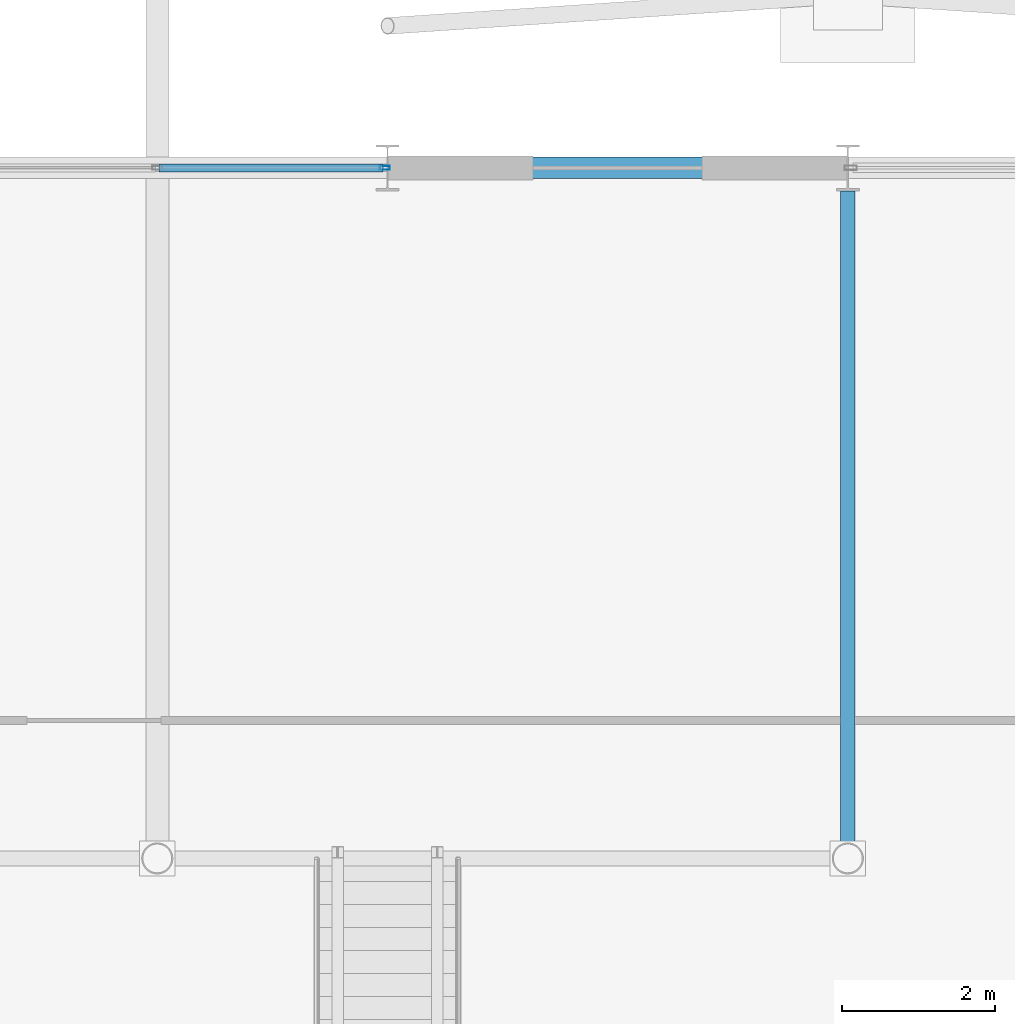
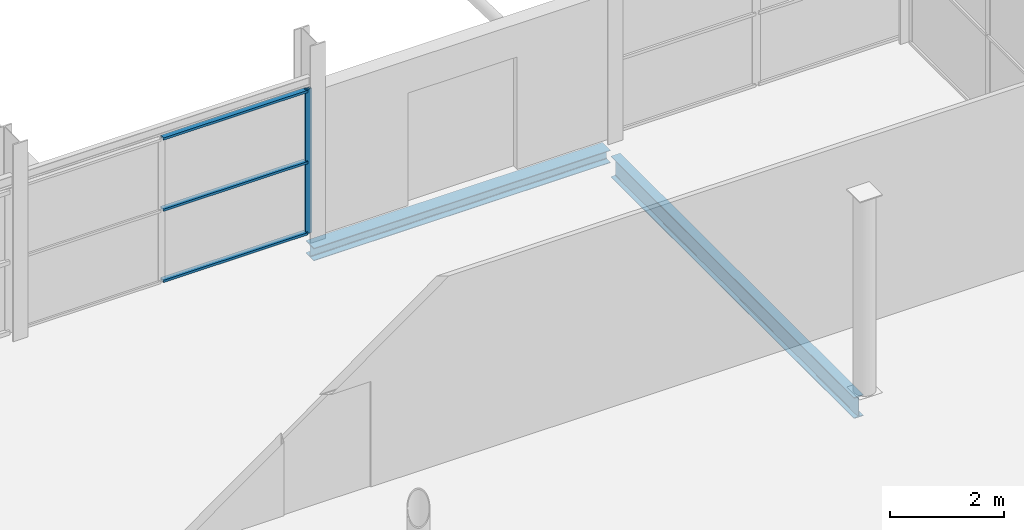
# One storey, part 50 of 140: 4 members, 2 beams, 1 element without a shape of its own.
"""IFC4 building model written with IfcOpenShell, lengths in metres."""

from ifc_helpers import new_model, si_unit, direction, frame, origin, origin_2d, place, context, subcontext, project, spatial, hollow_rectangle, i_section, extrude, material, layer, layer_set, material_profile, profile_set, type_object, element, aggregate, save


model = new_model("IFC4")

# Units and contexts
model_context = context("Model", 3, precision=1e-05, world=origin(), true_north=direction((0.0, 1.0)))
body_context = subcontext(model_context, "Body", "Model", "MODEL_VIEW")
ifc_project = project(units=[si_unit("LENGTHUNIT", "METRE"), si_unit("AREAUNIT", "SQUARE_METRE"), si_unit("VOLUMEUNIT", "CUBIC_METRE"), si_unit("PLANEANGLEUNIT", "RADIAN"), si_unit("MASSUNIT", "GRAM", prefix="KILO")], contexts=[model_context])

# Site, building, storey
site_placement = place(None, origin())
site = spatial("IfcSite", under=ifc_project, at=site_placement, CompositionType="ELEMENT")
building_placement = place(site_placement, origin())
building = spatial("IfcBuilding", under=site, at=building_placement, Name="Deido Ridge Mobility Hub", CompositionType="ELEMENT")
storey_placement = place(building_placement, origin())
storey = spatial("IfcBuildingStorey", under=building, at=storey_placement, Name="L00", CompositionType="ELEMENT", Elevation=0.0)

# Beam
ifc_material_1 = material(Name="Steel S355J2 EN 10025-2", Category="steel")
ifc_material_profile_1 = material_profile(ifc_material_1, i_section(OverallWidth=0.18994140625, OverallDepth=0.449951171875, WebThickness=0.009521484375, FlangeThickness=0.0146484375, FilletRadius=0.02099609375, at=origin_2d()), Name="IPE 450")
ifc_profile_set_1 = profile_set([ifc_material_profile_1], Name="Steel S355J2 EN 10025-2")
beam_type_1 = type_object("IfcBeamType", Name="BM-IPE450", PredefinedType="BEAM", material=ifc_profile_set_1)
beam_1_placement = place(storey_placement, frame((54.0, 27.203125, -0.485107421875), z_axis=(0.0, 1.0, 0.0), x_axis=(-1.0, 0.0, 0.0)))
element("IfcBeam", 1, at=beam_1_placement, inside=storey, type_object=beam_type_1, Name="Floor beam B4", PredefinedType="BEAM", context=body_context, shape_type="SweptSolid", body=[
    extrude(i_section(OverallWidth=0.18994140625, OverallDepth=0.449951171875, WebThickness=0.009521484375, FlangeThickness=0.0146484375, FilletRadius=0.02099609375, at=origin_2d()), origin(), (0.0, 0.0, 1.0), 8.496826171875),
])

# Curtain wall, members
ifc_material_2 = material(Name="Anodised aluminium EN AW-6063 T6", Category="aluminium")
ifc_layer = layer(ifc_material_2, 0.16796875, Name="Anodised aluminium EN AW-6063 T6")
ifc_layer_set = layer_set([ifc_layer], Name="Anodised aluminium EN AW-6063 T6")
curtain_wall_type = type_object("IfcCurtainWallType", Name="CW-GS-4", PredefinedType="USERDEFINED", material=ifc_layer_set)
curtain_wall_placement = place(storey_placement, origin())
curtain_wall = element("IfcCurtainWall", 2, at=curtain_wall_placement, inside=storey, type_object=curtain_wall_type, Name="Unitised curtain wall GS4", ObjectType="GLAZED SCREEN", PredefinedType="USERDEFINED")
ifc_material_profile_2 = material_profile(ifc_material_2, hollow_rectangle(XDim=0.050048828125, YDim=0.1298828125, WallThickness=0.00390625, at=origin_2d()), Name="RHS 50x130x4")
ifc_profile_set_2 = profile_set([ifc_material_profile_2], Name="Anodised aluminium EN AW-6063 T6")
member_type_1 = type_object("IfcMemberType", Name="MEM-MUL-50X130", PredefinedType="MULLION", material=ifc_profile_set_2)
member_1_placement = place(storey_placement, frame((47.96728515625, 36.0, 0.0), z_axis=(0.0, 0.0, 1.0), x_axis=(0.0, 1.0, 0.0)))
member_1 = element("IfcMember", 3, at=member_1_placement, type_object=member_type_1, Name="GS4 mullion 3", PredefinedType="MULLION", context=body_context, shape_type="SweptSolid", body=[
    extrude(hollow_rectangle(XDim=0.050048828125, YDim=0.1298828125, WallThickness=0.00390625, at=origin_2d()), origin(), (0.0, 0.0, 1.0), 3.0849609375),
])
ifc_material_profile_3 = material_profile(ifc_material_2, hollow_rectangle(XDim=0.10498046875, YDim=0.050048828125, WallThickness=0.00390625, at=origin_2d()), Name="RHS 105x50x4")
ifc_profile_set_3 = profile_set([ifc_material_profile_3], Name="Anodised aluminium EN AW-6063 T6")
member_type_2 = type_object("IfcMemberType", Name="MEM-TRN-105X50", PredefinedType="USERDEFINED", material=ifc_profile_set_3)
member_2_placement = place(storey_placement, frame((45.02490234375, 36.0, 0.02490234375), z_axis=(1.0, 0.0, 0.0), x_axis=(0.0, 1.0, 0.0)))
member_2 = element("IfcMember", 4, at=member_2_placement, type_object=member_type_2, Name="GS4 transom 2.1", ObjectType="TRANSOM", PredefinedType="USERDEFINED", context=body_context, shape_type="SweptSolid", body=[
    extrude(hollow_rectangle(XDim=0.10498046875, YDim=0.050048828125, WallThickness=0.00390625, at=origin_2d()), origin(), (0.0, 0.0, 1.0), 2.917236328125),
])
member_3_placement = place(storey_placement, frame((45.02490234375, 36.0, 1.54248046875), z_axis=(1.0, 0.0, 0.0), x_axis=(0.0, 1.0, 0.0)))
member_3 = element("IfcMember", 5, at=member_3_placement, type_object=member_type_2, Name="GS4 transom 2.2", ObjectType="TRANSOM", PredefinedType="USERDEFINED", context=body_context, shape_type="SweptSolid", body=[
    extrude(hollow_rectangle(XDim=0.10498046875, YDim=0.050048828125, WallThickness=0.00390625, at=origin_2d()), origin(), (0.0, 0.0, 1.0), 2.917236328125),
])
member_4_placement = place(storey_placement, frame((45.02490234375, 36.0, 3.06005859375), z_axis=(1.0, 0.0, 0.0), x_axis=(0.0, 1.0, 0.0)))
member_4 = element("IfcMember", 6, at=member_4_placement, type_object=member_type_2, Name="GS4 transom 2.3", ObjectType="TRANSOM", PredefinedType="USERDEFINED", context=body_context, shape_type="SweptSolid", body=[
    extrude(hollow_rectangle(XDim=0.10498046875, YDim=0.050048828125, WallThickness=0.00390625, at=origin_2d()), origin(), (0.0, 0.0, 1.0), 2.917236328125),
])
aggregate(curtain_wall, [member_1, member_2, member_3, member_4])

# Beam
ifc_material_profile_4 = material_profile(ifc_material_1, i_section(OverallWidth=0.280029296875, OverallDepth=0.27001953125, WebThickness=0.008056640625, FlangeThickness=0.012939453125, FilletRadius=0.02392578125, at=origin_2d()), Name="HEA 280")
ifc_profile_set_4 = profile_set([ifc_material_profile_4], Name="Steel S355J2 EN 10025-2")
beam_type_2 = type_object("IfcBeamType", Name="SPD-HEA280", PredefinedType="SPANDREL", material=ifc_profile_set_4)
beam_2_placement = place(storey_placement, frame((48.0078125, 36.0, -0.39501953125), z_axis=(1.0, 0.0, 0.0), x_axis=(0.0, 1.0, 0.0)))
element("IfcBeam", 7, at=beam_2_placement, inside=storey, type_object=beam_type_2, Name="Floor beam SP2", PredefinedType="SPANDREL", context=body_context, shape_type="SweptSolid", body=[
    extrude(i_section(OverallWidth=0.280029296875, OverallDepth=0.27001953125, WebThickness=0.008056640625, FlangeThickness=0.012939453125, FilletRadius=0.02392578125, at=origin_2d()), origin(), (0.0, 0.0, 1.0), 5.984375),
])

save(model, "model.ifc")
